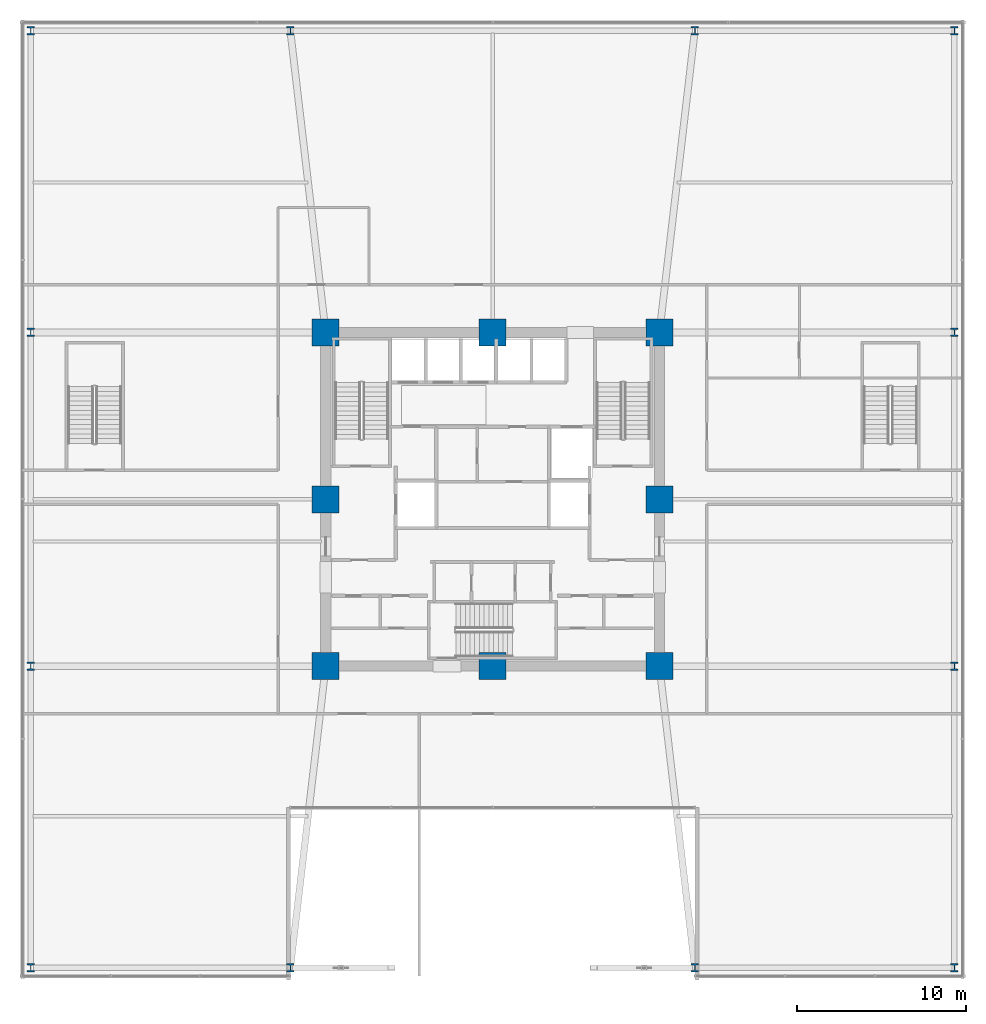
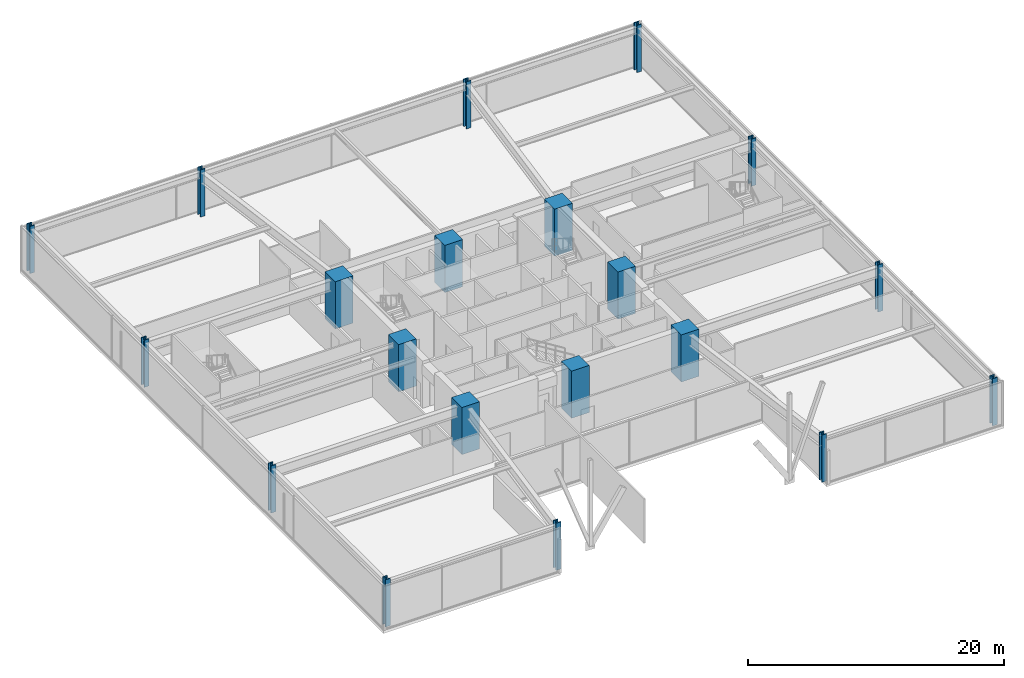
# One storey, part 1 of 47: 20 columns.
"""IFC4 building model written with IfcOpenShell, lengths in metres."""

from ifc_helpers import new_model, si_unit, direction, frame, origin, origin_2d, place, context, subcontext, project, spatial, rectangle, i_section, extrude, material, material_profile, profile_set, type_object, element, save


model = new_model("IFC4")

# Units and contexts
model_context = context("Model", 3, precision=1e-05, world=origin(), true_north=direction((0.0, 1.0)))
body_context = subcontext(model_context, "Body", "Model", "MODEL_VIEW")
ifc_project = project(units=[si_unit("LENGTHUNIT", "METRE"), si_unit("AREAUNIT", "SQUARE_METRE"), si_unit("VOLUMEUNIT", "CUBIC_METRE"), si_unit("PLANEANGLEUNIT", "RADIAN"), si_unit("MASSUNIT", "GRAM", prefix="KILO")], contexts=[model_context])

# Site, building, storey
site_placement = place(None, origin())
site = spatial("IfcSite", under=ifc_project, at=site_placement, CompositionType="ELEMENT")
building_placement = place(site_placement, origin())
building = spatial("IfcBuilding", under=site, at=building_placement, Name="Kolvaren Belvedere", CompositionType="ELEMENT")
storey_placement = place(building_placement, frame((0.0, 0.0, 5.5)))
storey = spatial("IfcBuildingStorey", under=building, at=storey_placement, Name="L02", CompositionType="ELEMENT", Elevation=5.5)

# Columns
ifc_material_1 = material(Name="Concrete C60/75", Category="concrete")
ifc_material_profile_1 = material_profile(ifc_material_1, rectangle(XDim=1.60009765625, YDim=1.60009765625, at=origin_2d()), Name="RC 1600X1600")
ifc_profile_set_1 = profile_set([ifc_material_profile_1], Name="Concrete C60/75")
column_type_1 = type_object("IfcColumnType", Name="COL-RC-1600", PredefinedType="COLUMN", material=ifc_profile_set_1)
for number, where, z_axis, x_axis, name in (
    (1, (-9.89990234375, -9.89990234375, 0.0), (0.0, 0.0, 1.0), (1.0, 0.0, 0.0), "L02 Core Column CC1"),
    (2, (9.89990234375, -9.89990234375, 0.0), (0.0, 0.0, 1.0), (1.0, 0.0, 0.0), "L02 Core Column CC2"),
    (3, (9.89990234375, 9.89990234375, 0.0), (0.0, 0.0, 1.0), (1.0, 0.0, 0.0), "L02 Core Column CC3"),
    (4, (-9.89990234375, 9.89990234375, 0.0), (0.0, 0.0, 1.0), (1.0, 0.0, 0.0), "L02 Core Column CC4"),
    (5, (0.0, -9.89990234375, 0.0), (0.0, 0.0, 1.0), (1.0, 0.0, 0.0), "L02 Core Column CM1"),
    (6, (9.89990234375, 0.0, 0.0), (0.0, 0.0, 1.0), (1.0, 0.0, 0.0), "L02 Core Column CM2"),
    (7, (0.0, 9.89990234375, 0.0), (0.0, 0.0, 1.0), (1.0, 0.0, 0.0), "L02 Core Column CM3"),
    (8, (-9.89990234375, 0.0, 0.0), (0.0, 0.0, 1.0), (1.0, 0.0, 0.0), "L02 Core Column CM4"),
):
    element("IfcColumn", number, at=place(storey_placement, frame(where, z_axis=z_axis, x_axis=x_axis)), inside=storey, type_object=column_type_1, Name=name, PredefinedType="COLUMN", context=body_context, shape_type="SweptSolid", body=[
        extrude(rectangle(XDim=1.60009765625, YDim=1.60009765625, at=origin_2d()), origin(), (0.0, 0.0, 1.0), 4.5),
    ])
ifc_material_2 = material(Name="Structural steel ASTM A992 Grade 50", Category="steel")
ifc_material_profile_2 = material_profile(ifc_material_2, i_section(OverallWidth=0.431884765625, OverallDepth=0.498046875, WebThickness=0.0556640625, FlangeThickness=0.0888671875, FilletRadius=0.02490234375, at=origin_2d()), Name="W14X500")
ifc_profile_set_2 = profile_set([ifc_material_profile_2], Name="Structural steel ASTM A992 Grade 50")
column_type_2 = type_object("IfcColumnType", Name="COL-ST-W14X500", PredefinedType="COLUMN", material=ifc_profile_set_2)
for number, where, z_axis, x_axis, name in (
    (9, (-27.39990234375, -27.800048828125, 0.0), (0.0, 0.0, 1.0), (1.0, 0.0, 0.0), "L02 Podium Mega-Column PA1"),
    (10, (-12.0, -27.800048828125, 0.0), (0.0, 0.0, 1.0), (1.0, 0.0, 0.0), "L02 Podium Mega-Column PA2"),
    (11, (12.0, -27.800048828125, 0.0), (0.0, 0.0, 1.0), (1.0, 0.0, 0.0), "L02 Podium Mega-Column PA3"),
    (12, (27.39990234375, -27.800048828125, 0.0), (0.0, 0.0, 1.0), (1.0, 0.0, 0.0), "L02 Podium Mega-Column PA4"),
    (13, (-27.39990234375, -9.89990234375, 0.0), (0.0, 0.0, 1.0), (1.0, 0.0, 0.0), "L02 Podium Mega-Column PB1"),
    (14, (27.39990234375, -9.89990234375, 0.0), (0.0, 0.0, 1.0), (1.0, 0.0, 0.0), "L02 Podium Mega-Column PB4"),
    (15, (-27.39990234375, 9.89990234375, 0.0), (0.0, 0.0, 1.0), (1.0, 0.0, 0.0), "L02 Podium Mega-Column PC1"),
    (16, (27.39990234375, 9.89990234375, 0.0), (0.0, 0.0, 1.0), (1.0, 0.0, 0.0), "L02 Podium Mega-Column PC4"),
    (17, (-27.39990234375, 27.800048828125, 0.0), (0.0, 0.0, 1.0), (1.0, 0.0, 0.0), "L02 Podium Mega-Column PD1"),
    (18, (-12.0, 27.800048828125, 0.0), (0.0, 0.0, 1.0), (1.0, 0.0, 0.0), "L02 Podium Mega-Column PD2"),
    (19, (12.0, 27.800048828125, 0.0), (0.0, 0.0, 1.0), (1.0, 0.0, 0.0), "L02 Podium Mega-Column PD3"),
    (20, (27.39990234375, 27.800048828125, 0.0), (0.0, 0.0, 1.0), (1.0, 0.0, 0.0), "L02 Podium Mega-Column PD4"),
):
    element("IfcColumn", number, at=place(storey_placement, frame(where, z_axis=z_axis, x_axis=x_axis)), inside=storey, type_object=column_type_2, Name=name, PredefinedType="COLUMN", context=body_context, shape_type="SweptSolid", body=[
        extrude(i_section(OverallWidth=0.431884765625, OverallDepth=0.498046875, WebThickness=0.0556640625, FlangeThickness=0.0888671875, FilletRadius=0.02490234375, at=origin_2d()), origin(), (0.0, 0.0, 1.0), 4.5),
    ])

save(model, "model.ifc")
